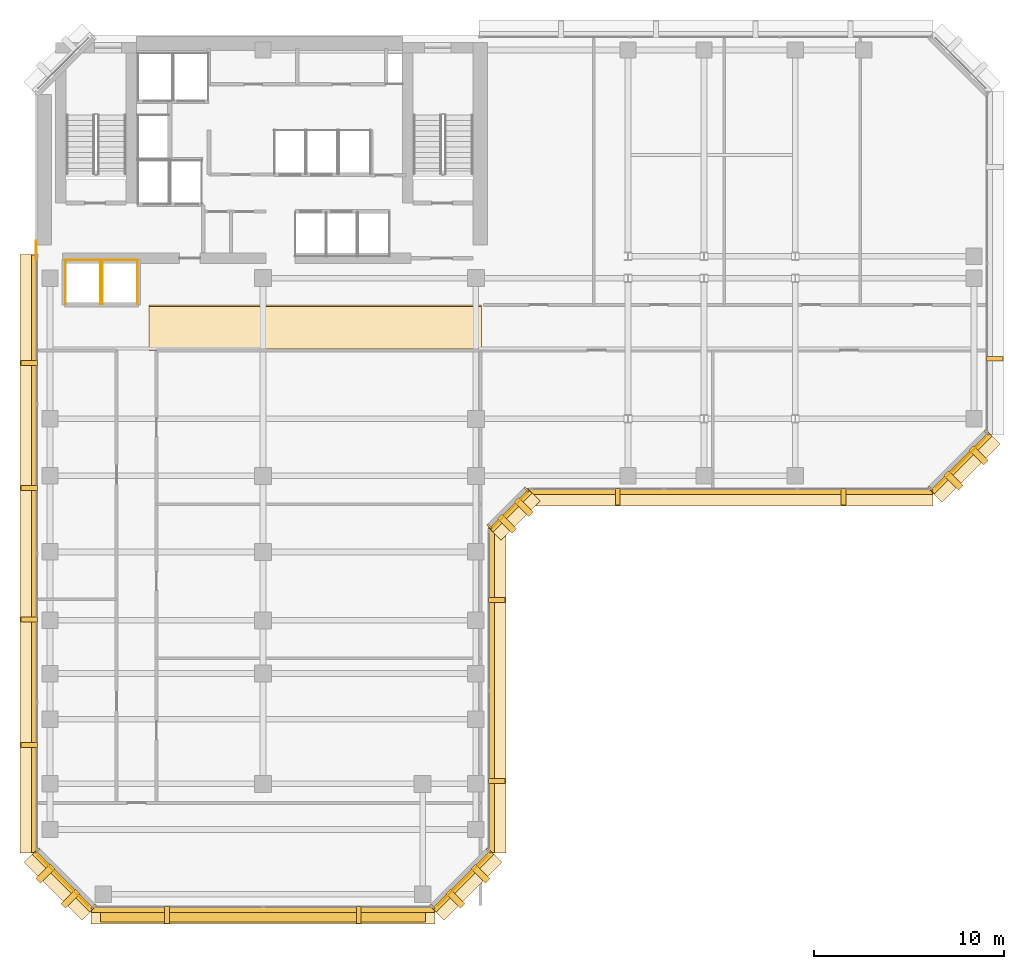
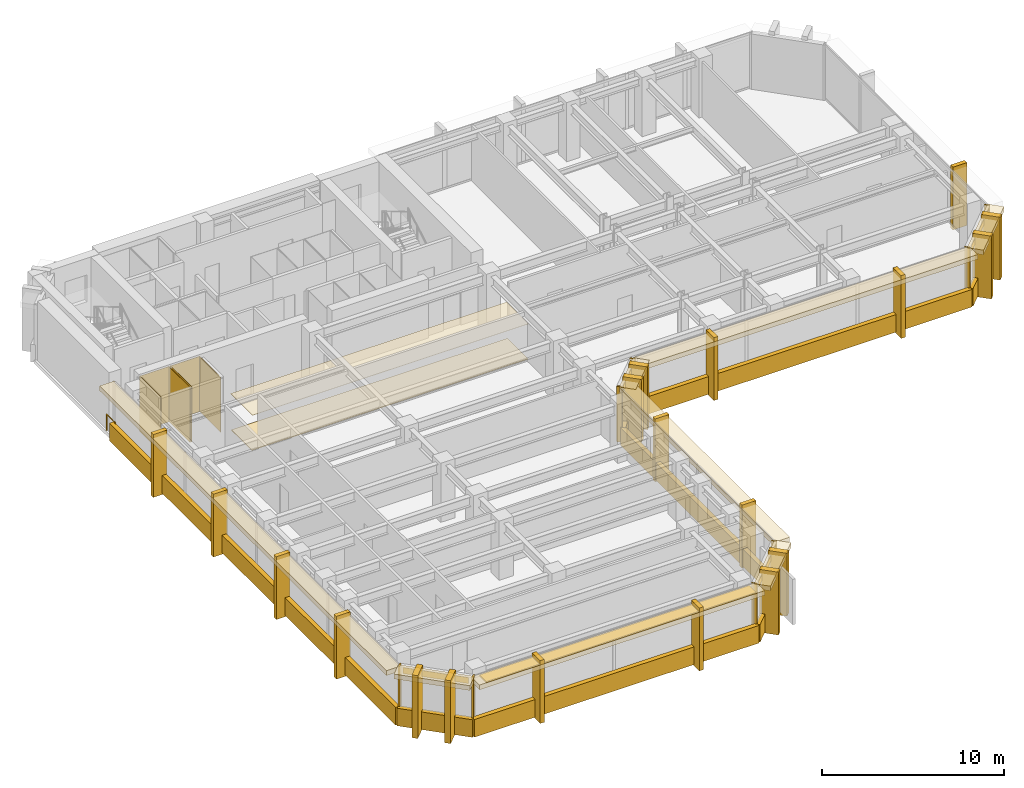
# One storey, part 9 of 11: 55 coverings, 1 railing, 1 shading device.
"""IFC4 building model written with IfcOpenShell, lengths in metres."""

from ifc_helpers import new_model, si_unit, direction, frame, origin, origin_2d, place, context, subcontext, project, spatial, polyline, rectangle, circle, outline, extrude, material, layer, layer_set, type_object, element, save


model = new_model("IFC4")

# Units and contexts
model_context = context("Model", 3, precision=1e-05, world=origin(), true_north=direction((0.0, 1.0)))
body_context = subcontext(model_context, "Body", "Model", "MODEL_VIEW")
ifc_project = project(units=[si_unit("LENGTHUNIT", "METRE"), si_unit("AREAUNIT", "SQUARE_METRE"), si_unit("VOLUMEUNIT", "CUBIC_METRE"), si_unit("PLANEANGLEUNIT", "RADIAN"), si_unit("MASSUNIT", "GRAM", prefix="KILO")], contexts=[model_context])

# Site, building, storey
site_placement = place(None, origin())
site = spatial("IfcSite", under=ifc_project, at=site_placement, CompositionType="ELEMENT")
building_placement = place(site_placement, origin())
building = spatial("IfcBuilding", under=site, at=building_placement, Name="Kefirva Bronze Tower", CompositionType="ELEMENT")
storey_placement = place(building_placement, frame((0.0, 0.0, 138.929931640625)))
storey = spatial("IfcBuildingStorey", under=building, at=storey_placement, Name="L33", CompositionType="ELEMENT", Elevation=138.929931640625)

# Coverings
ifc_material_1 = material(Name="Acoustic mineral tile")
ifc_layer_1 = layer(ifc_material_1, 0.02490234375, Name="Acoustic mineral tile")
ifc_layer_set_1 = layer_set([ifc_layer_1], Name="Acoustic mineral tile")
covering_type_1 = type_object("IfcCoveringType", Name="Acoustic Mineral Suspended Ceiling 25mm", PredefinedType="CEILING", material=ifc_layer_set_1)
covering_1_placement = place(storey_placement, frame((0.0, 0.0, 2.400146484375)))
element("IfcCovering", 1, at=covering_1_placement, inside=storey, type_object=covering_type_1, Name="L33 Corridor Acoustic Ceiling", PredefinedType="CEILING", context=body_context, shape_type="SweptSolid", body=[
    extrude(outline(polyline([(6.0, 29.39990234375), (23.5, 29.39990234375), (23.5, 31.800048828125), (6.0, 31.800048828125), (6.0, 29.39990234375)])), origin(), (0.0, 0.0, 1.0), 0.02490234375),
])
ifc_material_2 = material(Name="Bronze anodised aluminium", Category="aluminium")
ifc_layer_2 = layer(ifc_material_2, 0.02001953125, Name="Bronze anodised aluminium")
ifc_layer_set_2 = layer_set([ifc_layer_2], Name="Bronze anodised aluminium")
covering_type_2 = type_object("IfcCoveringType", Name="Anodised Bronze Spandrel Cladding 20mm", PredefinedType="CLADDING", material=ifc_layer_set_2)
covering_2_placement = place(storey_placement, frame((12.0, -0.0400390625, -0.15966796875), z_axis=(0.0, 0.0, 1.0), x_axis=(1.0, 0.0, 0.0)))
element("IfcCovering", 2, at=covering_2_placement, inside=storey, type_object=covering_type_2, Name="L33 Streamline Horizontal Spandrel Band 0", PredefinedType="CLADDING", context=body_context, shape_type="SweptSolid", body=[
    extrude(rectangle(XDim=18.0400390625, YDim=0.280029296875, at=origin_2d()), origin(), (0.0, 0.0, 1.0), 1.179931640625),
])
covering_3_placement = place(storey_placement, frame((22.507080078125, 1.492919921875, 3.2900390625), z_axis=(0.0, 0.0, 1.0), x_axis=(0.707106781187, 0.707106781187, 0.0)))
element("IfcCovering", 3, at=covering_3_placement, inside=storey, type_object=covering_type_2, Name="L33 Bronze Spandrel Cladding 1", PredefinedType="CLADDING", context=body_context, shape_type="SweptSolid", body=[
    extrude(rectangle(XDim=3.719482421875, YDim=0.02001953125, at=origin_2d()), origin(), (0.0, 0.0, 1.0), 0.39990234375),
])
for number, where, z_axis, x_axis, name in (
    (4, (20.91162109375, 0.137939453125, 0.0), (0.0, 0.0, 1.0), (0.707106781187, 0.707106781187, 0.0), "L33 Facade Joint Closure Panel 1S"),
    (5, (23.862060546875, 3.08837890625, 0.0), (0.0, 0.0, 1.0), (0.707106781187, 0.707106781187, 0.0), "L33 Facade Joint Closure Panel 1E"),
):
    element("IfcCovering", number, at=place(storey_placement, frame(where, z_axis=z_axis, x_axis=x_axis)), inside=storey, type_object=covering_type_2, Name=name, PredefinedType="CLADDING", context=body_context, shape_type="SweptSolid", body=[
        extrude(rectangle(XDim=0.10009765625, YDim=0.320068359375, at=origin_2d()), origin(), (0.0, 0.0, 1.0), 3.7099609375),
    ])
covering_4_placement = place(storey_placement, frame((22.5283203125, 1.4716796875, -0.15966796875), z_axis=(0.0, 0.0, 1.0), x_axis=(0.707106781187, 0.707106781187, 0.0)))
element("IfcCovering", 6, at=covering_4_placement, inside=storey, type_object=covering_type_2, Name="L33 Streamline Horizontal Spandrel Band 1", PredefinedType="CLADDING", context=body_context, shape_type="SweptSolid", body=[
    extrude(rectangle(XDim=4.28271484375, YDim=0.280029296875, at=origin_2d()), origin(), (0.0, 0.0, 1.0), 1.179931640625),
])
covering_5_placement = place(storey_placement, frame((24.0400390625, 11.5, -0.15966796875), z_axis=(0.0, 0.0, 1.0), x_axis=(0.0, 1.0, 0.0)))
element("IfcCovering", 7, at=covering_5_placement, inside=storey, type_object=covering_type_2, Name="L33 Streamline Horizontal Spandrel Band 2", PredefinedType="CLADDING", context=body_context, shape_type="SweptSolid", body=[
    extrude(rectangle(XDim=17.0400390625, YDim=0.280029296875, at=origin_2d()), origin(), (0.0, 0.0, 1.0), 1.179931640625),
])
covering_6_placement = place(storey_placement, frame((25.007080078125, 20.992919921875, 3.2900390625), z_axis=(0.0, 0.0, 1.0), x_axis=(0.707106781187, 0.707106781187, 0.0)))
element("IfcCovering", 8, at=covering_6_placement, inside=storey, type_object=covering_type_2, Name="L33 Bronze Spandrel Cladding 2", PredefinedType="CLADDING", context=body_context, shape_type="SweptSolid", body=[
    extrude(rectangle(XDim=2.446533203125, YDim=0.02001953125, at=origin_2d()), origin(), (0.0, 0.0, 1.0), 0.39990234375),
])
for number, where, z_axis, x_axis, name in (
    (9, (23.91162109375, 20.137939453125, 0.0), (0.0, 0.0, 1.0), (0.707106781187, 0.707106781187, 0.0), "L33 Facade Joint Closure Panel 2S"),
    (10, (25.862060546875, 22.08837890625, 0.0), (0.0, 0.0, 1.0), (0.707106781187, 0.707106781187, 0.0), "L33 Facade Joint Closure Panel 2E"),
):
    element("IfcCovering", number, at=place(storey_placement, frame(where, z_axis=z_axis, x_axis=x_axis)), inside=storey, type_object=covering_type_2, Name=name, PredefinedType="CLADDING", context=body_context, shape_type="SweptSolid", body=[
        extrude(rectangle(XDim=0.10009765625, YDim=0.320068359375, at=origin_2d()), origin(), (0.0, 0.0, 1.0), 3.7099609375),
    ])
covering_7_placement = place(storey_placement, frame((25.0283203125, 20.9716796875, -0.15966796875), z_axis=(0.0, 0.0, 1.0), x_axis=(0.707106781187, 0.707106781187, 0.0)))
element("IfcCovering", 11, at=covering_7_placement, inside=storey, type_object=covering_type_2, Name="L33 Streamline Horizontal Spandrel Band 3", PredefinedType="CLADDING", context=body_context, shape_type="SweptSolid", body=[
    extrude(rectangle(XDim=2.868408203125, YDim=0.280029296875, at=origin_2d()), origin(), (0.0, 0.0, 1.0), 1.179931640625),
])
covering_8_placement = place(storey_placement, frame((36.60009765625, 21.9599609375, -0.15966796875), z_axis=(0.0, 0.0, 1.0), x_axis=(1.0, 0.0, 0.0)))
element("IfcCovering", 12, at=covering_8_placement, inside=storey, type_object=covering_type_2, Name="L33 Streamline Horizontal Spandrel Band 4", PredefinedType="CLADDING", context=body_context, shape_type="SweptSolid", body=[
    extrude(rectangle(XDim=21.239990234375, YDim=0.280029296875, at=origin_2d()), origin(), (0.0, 0.0, 1.0), 1.179931640625),
])
covering_9_placement = place(storey_placement, frame((48.70703125, 23.492919921875, 3.2900390625), z_axis=(0.0, 0.0, 1.0), x_axis=(0.707106781187, 0.707106781187, 0.0)))
element("IfcCovering", 13, at=covering_9_placement, inside=storey, type_object=covering_type_2, Name="L33 Bronze Spandrel Cladding 3", PredefinedType="CLADDING", context=body_context, shape_type="SweptSolid", body=[
    extrude(rectangle(XDim=3.719482421875, YDim=0.02001953125, at=origin_2d()), origin(), (0.0, 0.0, 1.0), 0.39990234375),
])
for number, where, z_axis, x_axis, name in (
    (14, (47.11181640625, 22.137939453125, 0.0), (0.0, 0.0, 1.0), (0.707106781187, 0.707106781187, 0.0), "L33 Facade Joint Closure Panel 3S"),
    (15, (50.06201171875, 25.08837890625, 0.0), (0.0, 0.0, 1.0), (0.707106781187, 0.707106781187, 0.0), "L33 Facade Joint Closure Panel 3E"),
):
    element("IfcCovering", number, at=place(storey_placement, frame(where, z_axis=z_axis, x_axis=x_axis)), inside=storey, type_object=covering_type_2, Name=name, PredefinedType="CLADDING", context=body_context, shape_type="SweptSolid", body=[
        extrude(rectangle(XDim=0.10009765625, YDim=0.320068359375, at=origin_2d()), origin(), (0.0, 0.0, 1.0), 3.7099609375),
    ])
covering_10_placement = place(storey_placement, frame((48.728271484375, 23.4716796875, -0.15966796875), z_axis=(0.0, 0.0, 1.0), x_axis=(0.707106781187, 0.707106781187, 0.0)))
element("IfcCovering", 16, at=covering_10_placement, inside=storey, type_object=covering_type_2, Name="L33 Streamline Horizontal Spandrel Band 5", PredefinedType="CLADDING", context=body_context, shape_type="SweptSolid", body=[
    extrude(rectangle(XDim=4.28271484375, YDim=0.280029296875, at=origin_2d()), origin(), (0.0, 0.0, 1.0), 1.179931640625),
])
covering_11_placement = place(storey_placement, frame((-0.0400390625, 18.697509765625, -0.15966796875), z_axis=(0.0, 0.0, 1.0), x_axis=(0.0, -1.0, 0.0)))
element("IfcCovering", 17, at=covering_11_placement, inside=storey, type_object=covering_type_2, Name="L33 Streamline Horizontal Spandrel Band 10", PredefinedType="CLADDING", context=body_context, shape_type="SweptSolid", body=[
    extrude(rectangle(XDim=31.43505859375, YDim=0.280029296875, at=origin_2d()), origin(), (0.0, 0.0, 1.0), 1.179931640625),
])
covering_12_placement = place(storey_placement, frame((1.492919921875, 1.492919921875, 3.2900390625), z_axis=(0.0, 0.0, 1.0), x_axis=(0.707106781187, -0.707106781187, 0.0)))
element("IfcCovering", 18, at=covering_12_placement, inside=storey, type_object=covering_type_2, Name="L33 Bronze Spandrel Cladding 6", PredefinedType="CLADDING", context=body_context, shape_type="SweptSolid", body=[
    extrude(rectangle(XDim=3.719482421875, YDim=0.02001953125, at=origin_2d()), origin(), (0.0, 0.0, 1.0), 0.39990234375),
])
for number, where, z_axis, x_axis, name in (
    (19, (0.137939453125, 3.08837890625, 0.0), (0.0, 0.0, 1.0), (0.707106781187, -0.707106781187, 0.0), "L33 Facade Joint Closure Panel 6S"),
    (20, (3.08837890625, 0.137939453125, 0.0), (0.0, 0.0, 1.0), (0.707106781187, -0.707106781187, 0.0), "L33 Facade Joint Closure Panel 6E"),
):
    element("IfcCovering", number, at=place(storey_placement, frame(where, z_axis=z_axis, x_axis=x_axis)), inside=storey, type_object=covering_type_2, Name=name, PredefinedType="CLADDING", context=body_context, shape_type="SweptSolid", body=[
        extrude(rectangle(XDim=0.10009765625, YDim=0.320068359375, at=origin_2d()), origin(), (0.0, 0.0, 1.0), 3.7099609375),
    ])
covering_13_placement = place(storey_placement, frame((1.4716796875, 1.4716796875, -0.15966796875), z_axis=(0.0, 0.0, 1.0), x_axis=(0.707106781187, -0.707106781187, 0.0)))
element("IfcCovering", 21, at=covering_13_placement, inside=storey, type_object=covering_type_2, Name="L33 Streamline Horizontal Spandrel Band 11", PredefinedType="CLADDING", context=body_context, shape_type="SweptSolid", body=[
    extrude(rectangle(XDim=4.28271484375, YDim=0.280029296875, at=origin_2d()), origin(), (0.0, 0.0, 1.0), 1.179931640625),
])
covering_14_placement = place(storey_placement, origin())
element("IfcCovering", 22, at=covering_14_placement, inside=storey, type_object=covering_type_2, Name="L33 Lift OB1 Hoistway Liner N", PredefinedType="CLADDING", context=body_context, shape_type="SweptSolid", body=[
    extrude(outline(polyline([(1.580078125, 34.139892578125), (3.469970703125, 34.139892578125), (3.469970703125, 34.159912109375), (1.580078125, 34.159912109375), (1.580078125, 34.139892578125)])), origin(), (0.0, 0.0, 1.0), 3.7099609375),
])
covering_15_placement = place(storey_placement, origin())
element("IfcCovering", 23, at=covering_15_placement, inside=storey, type_object=covering_type_2, Name="L33 Lift OB1 Hoistway Liner W", PredefinedType="CLADDING", context=body_context, shape_type="SweptSolid", body=[
    extrude(outline(polyline([(1.590087890625, 31.830078125), (1.610107421875, 31.830078125), (1.610107421875, 34.169921875), (1.590087890625, 34.169921875), (1.590087890625, 31.830078125)])), origin(), (0.0, 0.0, 1.0), 3.7099609375),
])
covering_16_placement = place(storey_placement, origin())
element("IfcCovering", 24, at=covering_16_placement, inside=storey, type_object=covering_type_2, Name="L33 Lift OB1 Hoistway Liner E", PredefinedType="CLADDING", context=body_context, shape_type="SweptSolid", body=[
    extrude(outline(polyline([(3.43994140625, 31.830078125), (3.4599609375, 31.830078125), (3.4599609375, 34.169921875), (3.43994140625, 34.169921875), (3.43994140625, 31.830078125)])), origin(), (0.0, 0.0, 1.0), 3.7099609375),
])
covering_17_placement = place(storey_placement, origin())
element("IfcCovering", 25, at=covering_17_placement, inside=storey, type_object=covering_type_2, Name="L33 Lift OB2 Hoistway Liner N", PredefinedType="CLADDING", context=body_context, shape_type="SweptSolid", body=[
    extrude(outline(polyline([(3.530029296875, 34.139892578125), (5.419921875, 34.139892578125), (5.419921875, 34.159912109375), (3.530029296875, 34.159912109375), (3.530029296875, 34.139892578125)])), origin(), (0.0, 0.0, 1.0), 3.7099609375),
])
covering_18_placement = place(storey_placement, origin())
element("IfcCovering", 26, at=covering_18_placement, inside=storey, type_object=covering_type_2, Name="L33 Lift OB2 Hoistway Liner W", PredefinedType="CLADDING", context=body_context, shape_type="SweptSolid", body=[
    extrude(outline(polyline([(3.5400390625, 31.830078125), (3.56005859375, 31.830078125), (3.56005859375, 34.169921875), (3.5400390625, 34.169921875), (3.5400390625, 31.830078125)])), origin(), (0.0, 0.0, 1.0), 3.7099609375),
])
covering_19_placement = place(storey_placement, origin())
element("IfcCovering", 27, at=covering_19_placement, inside=storey, type_object=covering_type_2, Name="L33 Lift OB2 Hoistway Liner E", PredefinedType="CLADDING", context=body_context, shape_type="SweptSolid", body=[
    extrude(outline(polyline([(5.389892578125, 31.830078125), (5.409912109375, 31.830078125), (5.409912109375, 34.169921875), (5.389892578125, 34.169921875), (5.389892578125, 31.830078125)])), origin(), (0.0, 0.0, 1.0), 3.7099609375),
])

# Shading device
ifc_layer_3 = layer(ifc_material_2, 0.090087890625, Name="Bronze anodised aluminium")
ifc_layer_set_3 = layer_set([ifc_layer_3], Name="Bronze anodised aluminium")
shading_device_type = type_object("IfcShadingDeviceType", Name="Horizontal Bronze Sunshade Band 750mm", PredefinedType="JALOUSIE", material=ifc_layer_set_3)
shading_device_placement = place(storey_placement, frame((12.0, -0.294921875, 3.60498046875), z_axis=(0.0, 0.0, 1.0), x_axis=(1.0, 0.0, 0.0)))
element("IfcShadingDevice", 28, at=shading_device_placement, inside=storey, type_object=shading_device_type, Name="L33 Horizontal Bronze Sunshade Band 0", PredefinedType="JALOUSIE", context=body_context, shape_type="SweptSolid", body=[
    extrude(rectangle(XDim=17.090087890625, YDim=0.75, at=origin_2d()), origin(), (0.0, 0.0, 1.0), 0.090087890625),
])

# Railing
ifc_material_3 = material(Name="Stainless steel 316", Category="steel")
railing_type = type_object("IfcRailingType", Name="Interior Stair Guardrail 1100mm", PredefinedType="GUARDRAIL", material=ifc_material_3)
railing_placement = place(storey_placement, frame((0.080078125, 34.199951171875, 0.0)))
element("IfcRailing", 29, at=railing_placement, inside=storey, type_object=railing_type, Name="L33 West Core Junction Guardrail", PredefinedType="GUARDRAIL", context=body_context, shape_type="SweptSolid", body=[
    extrude(circle(Radius=0.02392578125, at=origin_2d()), frame((0.0, 0.0, 1.076171875), z_axis=(0.0, 1.0, 0.0), x_axis=(-1.0, 0.0, 0.0)), (0.0, 0.0, 1.0), 0.949951171875),
    extrude(circle(Radius=0.02099609375, at=origin_2d()), origin(), (0.0, 0.0, 1.0), 1.052001953125),
    extrude(circle(Radius=0.02099609375, at=origin_2d()), frame((0.0, 0.949951171875, 0.0)), (0.0, 0.0, 1.0), 1.052001953125),
])

# Coverings
ifc_material_4 = material(Name="Calcium sulphate access tile")
ifc_layer_4 = layer(ifc_material_4, 0.044921875, Name="Calcium sulphate access tile")
ifc_layer_set_4 = layer_set([ifc_layer_4], Name="Calcium sulphate access tile")
covering_type_3 = type_object("IfcCoveringType", Name="Raised Access Office Flooring 45mm", PredefinedType="FLOORING", material=ifc_layer_set_4)
covering_20_placement = place(storey_placement, origin())
element("IfcCovering", 30, at=covering_20_placement, inside=storey, type_object=covering_type_3, Name="L33 Architectural Finish Flooring", PredefinedType="FLOORING", context=body_context, shape_type="SweptSolid", body=[
    extrude(outline(polyline([(6.0, 29.47998046875), (23.5, 29.47998046875), (23.5, 31.719970703125), (6.0, 31.719970703125), (6.0, 29.47998046875)])), origin(), (0.0, 0.0, 1.0), 0.045166015625),
])
ifc_layer_5 = layer(ifc_material_2, 0.179931640625, Name="Bronze anodised aluminium")
ifc_layer_set_5 = layer_set([ifc_layer_5], Name="Bronze anodised aluminium")
covering_type_4 = type_object("IfcCoveringType", Name="Streamline Bronze Sunshade Eyebrow Cladding 180mm", PredefinedType="CLADDING", material=ifc_layer_set_5)
covering_21_placement = place(storey_placement, frame((12.0, -0.31005859375, 3.39013671875), z_axis=(0.0, 0.0, 1.0), x_axis=(1.0, 0.0, 0.0)))
element("IfcCovering", 31, at=covering_21_placement, inside=storey, type_object=covering_type_4, Name="L33 Streamline Bronze Sunshade Eyebrow 0", PredefinedType="CLADDING", context=body_context, shape_type="SweptSolid", body=[
    extrude(rectangle(XDim=18.080078125, YDim=0.93994140625, at=origin_2d()), origin(), (0.0, 0.0, 1.0), 0.320068359375),
])
covering_22_placement = place(storey_placement, frame((22.71923828125, 1.28076171875, 3.39013671875), z_axis=(0.0, 0.0, 1.0), x_axis=(0.707106781187, 0.707106781187, 0.0)))
element("IfcCovering", 32, at=covering_22_placement, inside=storey, type_object=covering_type_4, Name="L33 Streamline Bronze Sunshade Eyebrow 1", PredefinedType="CLADDING", context=body_context, shape_type="SweptSolid", body=[
    extrude(rectangle(XDim=4.322509765625, YDim=0.93994140625, at=origin_2d()), origin(), (0.0, 0.0, 1.0), 0.320068359375),
])
covering_23_placement = place(storey_placement, frame((24.31005859375, 11.5, 3.39013671875), z_axis=(0.0, 0.0, 1.0), x_axis=(0.0, 1.0, 0.0)))
element("IfcCovering", 33, at=covering_23_placement, inside=storey, type_object=covering_type_4, Name="L33 Streamline Bronze Sunshade Eyebrow 2", PredefinedType="CLADDING", context=body_context, shape_type="SweptSolid", body=[
    extrude(rectangle(XDim=17.080078125, YDim=0.93994140625, at=origin_2d()), origin(), (0.0, 0.0, 1.0), 0.320068359375),
])
covering_24_placement = place(storey_placement, frame((25.21923828125, 20.78076171875, 3.39013671875), z_axis=(0.0, 0.0, 1.0), x_axis=(0.707106781187, 0.707106781187, 0.0)))
element("IfcCovering", 34, at=covering_24_placement, inside=storey, type_object=covering_type_4, Name="L33 Streamline Bronze Sunshade Eyebrow 3", PredefinedType="CLADDING", context=body_context, shape_type="SweptSolid", body=[
    extrude(rectangle(XDim=2.908447265625, YDim=0.93994140625, at=origin_2d()), origin(), (0.0, 0.0, 1.0), 0.320068359375),
])
covering_25_placement = place(storey_placement, frame((36.60009765625, 21.68994140625, 3.39013671875), z_axis=(0.0, 0.0, 1.0), x_axis=(1.0, 0.0, 0.0)))
element("IfcCovering", 35, at=covering_25_placement, inside=storey, type_object=covering_type_4, Name="L33 Streamline Bronze Sunshade Eyebrow 4", PredefinedType="CLADDING", context=body_context, shape_type="SweptSolid", body=[
    extrude(rectangle(XDim=21.280029296875, YDim=0.93994140625, at=origin_2d()), origin(), (0.0, 0.0, 1.0), 0.320068359375),
])
covering_26_placement = place(storey_placement, frame((48.919189453125, 23.28076171875, 3.39013671875), z_axis=(0.0, 0.0, 1.0), x_axis=(0.707106781187, 0.707106781187, 0.0)))
element("IfcCovering", 36, at=covering_26_placement, inside=storey, type_object=covering_type_4, Name="L33 Streamline Bronze Sunshade Eyebrow 5", PredefinedType="CLADDING", context=body_context, shape_type="SweptSolid", body=[
    extrude(rectangle(XDim=4.322509765625, YDim=0.93994140625, at=origin_2d()), origin(), (0.0, 0.0, 1.0), 0.320068359375),
])
covering_27_placement = place(storey_placement, frame((-0.31005859375, 18.697509765625, 3.39013671875), z_axis=(0.0, 0.0, 1.0), x_axis=(0.0, -1.0, 0.0)))
element("IfcCovering", 37, at=covering_27_placement, inside=storey, type_object=covering_type_4, Name="L33 Streamline Bronze Sunshade Eyebrow 10", PredefinedType="CLADDING", context=body_context, shape_type="SweptSolid", body=[
    extrude(rectangle(XDim=31.47509765625, YDim=0.93994140625, at=origin_2d()), origin(), (0.0, 0.0, 1.0), 0.320068359375),
])
covering_28_placement = place(storey_placement, frame((1.28076171875, 1.28076171875, 3.39013671875), z_axis=(0.0, 0.0, 1.0), x_axis=(0.707106781187, -0.707106781187, 0.0)))
element("IfcCovering", 38, at=covering_28_placement, inside=storey, type_object=covering_type_4, Name="L33 Streamline Bronze Sunshade Eyebrow 11", PredefinedType="CLADDING", context=body_context, shape_type="SweptSolid", body=[
    extrude(rectangle(XDim=4.322509765625, YDim=0.93994140625, at=origin_2d()), origin(), (0.0, 0.0, 1.0), 0.320068359375),
])
ifc_layer_6 = layer(ifc_material_2, 0.260009765625, Name="Bronze anodised aluminium")
ifc_layer_set_6 = layer_set([ifc_layer_6], Name="Bronze anodised aluminium")
covering_type_5 = type_object("IfcCoveringType", Name="Unbroken Bronze Buttress Fin Cladding 260mm", PredefinedType="CLADDING", material=ifc_layer_set_6)
for number, where, z_axis, x_axis, name in (
    (39, (6.9599609375, -0.300048828125, -0.25), (0.0, 0.0, 1.0), (1.0, 0.0, 0.0), "L33 Unbroken Vertical Bronze Rib Fin 1"),
    (40, (17.0400390625, -0.300048828125, -0.25), (0.0, 0.0, 1.0), (1.0, 0.0, 0.0), "L33 Unbroken Vertical Bronze Rib Fin 2"),
):
    element("IfcCovering", number, at=place(storey_placement, frame(where, z_axis=z_axis, x_axis=x_axis)), inside=storey, type_object=covering_type_5, Name=name, PredefinedType="CLADDING", context=body_context, shape_type="SweptSolid", body=[
        extrude(rectangle(XDim=0.260009765625, YDim=0.8798828125, at=origin_2d()), origin(), (0.0, 0.0, 1.0), 4.2099609375),
    ])
for number, where, z_axis, x_axis, name in (
    (41, (22.122802734375, 0.55712890625, -0.25), (0.0, 0.0, 1.0), (0.707106781187, 0.707106781187, 0.0), "L33 Chamfered Corner Buttress Fin Cladding 3"),
    (42, (23.44287109375, 1.877197265625, -0.25), (0.0, 0.0, 1.0), (0.707106781187, 0.707106781187, 0.0), "L33 Chamfered Corner Buttress Fin Cladding 4"),
):
    element("IfcCovering", number, at=place(storey_placement, frame(where, z_axis=z_axis, x_axis=x_axis)), inside=storey, type_object=covering_type_5, Name=name, PredefinedType="CLADDING", context=body_context, shape_type="SweptSolid", body=[
        extrude(rectangle(XDim=0.340087890625, YDim=1.080078125, at=origin_2d()), origin(), (0.0, 0.0, 1.0), 4.2099609375),
    ])
for number, where, z_axis, x_axis, name in (
    (43, (24.300048828125, 6.739990234375, -0.25), (0.0, 0.0, 1.0), (0.0, 1.0, 0.0), "L33 Unbroken Vertical Bronze Rib Fin 5"),
    (44, (24.300048828125, 16.260009765625, -0.25), (0.0, 0.0, 1.0), (0.0, 1.0, 0.0), "L33 Unbroken Vertical Bronze Rib Fin 6"),
):
    element("IfcCovering", number, at=place(storey_placement, frame(where, z_axis=z_axis, x_axis=x_axis)), inside=storey, type_object=covering_type_5, Name=name, PredefinedType="CLADDING", context=body_context, shape_type="SweptSolid", body=[
        extrude(rectangle(XDim=0.260009765625, YDim=0.8798828125, at=origin_2d()), origin(), (0.0, 0.0, 1.0), 4.2099609375),
    ])
for number, where, z_axis, x_axis, name in (
    (45, (24.8427734375, 20.277099609375, -0.25), (0.0, 0.0, 1.0), (0.707106781187, 0.707106781187, 0.0), "L33 Chamfered Corner Buttress Fin Cladding 7"),
    (46, (25.722900390625, 21.1572265625, -0.25), (0.0, 0.0, 1.0), (0.707106781187, 0.707106781187, 0.0), "L33 Chamfered Corner Buttress Fin Cladding 8"),
):
    element("IfcCovering", number, at=place(storey_placement, frame(where, z_axis=z_axis, x_axis=x_axis)), inside=storey, type_object=covering_type_5, Name=name, PredefinedType="CLADDING", context=body_context, shape_type="SweptSolid", body=[
        extrude(rectangle(XDim=0.340087890625, YDim=1.080078125, at=origin_2d()), origin(), (0.0, 0.0, 1.0), 4.2099609375),
    ])
for number, where, z_axis, x_axis, name in (
    (47, (30.6640625, 21.699951171875, -0.25), (0.0, 0.0, 1.0), (1.0, 0.0, 0.0), "L33 Unbroken Vertical Bronze Rib Fin 9"),
    (48, (42.535888671875, 21.699951171875, -0.25), (0.0, 0.0, 1.0), (1.0, 0.0, 0.0), "L33 Unbroken Vertical Bronze Rib Fin 10"),
):
    element("IfcCovering", number, at=place(storey_placement, frame(where, z_axis=z_axis, x_axis=x_axis)), inside=storey, type_object=covering_type_5, Name=name, PredefinedType="CLADDING", context=body_context, shape_type="SweptSolid", body=[
        extrude(rectangle(XDim=0.260009765625, YDim=0.8798828125, at=origin_2d()), origin(), (0.0, 0.0, 1.0), 4.2099609375),
    ])
for number, where, z_axis, x_axis, name in (
    (49, (48.32275390625, 22.55712890625, -0.25), (0.0, 0.0, 1.0), (0.707106781187, 0.707106781187, 0.0), "L33 Chamfered Corner Buttress Fin Cladding 11"),
    (50, (49.642822265625, 23.877197265625, -0.25), (0.0, 0.0, 1.0), (0.707106781187, 0.707106781187, 0.0), "L33 Chamfered Corner Buttress Fin Cladding 12"),
):
    element("IfcCovering", number, at=place(storey_placement, frame(where, z_axis=z_axis, x_axis=x_axis)), inside=storey, type_object=covering_type_5, Name=name, PredefinedType="CLADDING", context=body_context, shape_type="SweptSolid", body=[
        extrude(rectangle(XDim=0.340087890625, YDim=1.080078125, at=origin_2d()), origin(), (0.0, 0.0, 1.0), 4.2099609375),
    ])
for number, where, z_axis, x_axis, name in (
    (51, (50.5, 28.9599609375, -0.25), (0.0, 0.0, 1.0), (0.0, 1.0, 0.0), "L33 Unbroken Vertical Bronze Rib Fin 13"),
    (52, (-0.300048828125, 28.743896484375, -0.25), (0.0, 0.0, 1.0), (0.0, -1.0, 0.0), "L33 Unbroken Vertical Bronze Rib Fin 23"),
    (53, (-0.300048828125, 22.15087890625, -0.25), (0.0, 0.0, 1.0), (0.0, -1.0, 0.0), "L33 Unbroken Vertical Bronze Rib Fin 24"),
    (54, (-0.300048828125, 15.244140625, -0.25), (0.0, 0.0, 1.0), (0.0, -1.0, 0.0), "L33 Unbroken Vertical Bronze Rib Fin 25"),
    (55, (-0.300048828125, 8.651123046875, -0.25), (0.0, 0.0, 1.0), (0.0, -1.0, 0.0), "L33 Unbroken Vertical Bronze Rib Fin 26"),
):
    element("IfcCovering", number, at=place(storey_placement, frame(where, z_axis=z_axis, x_axis=x_axis)), inside=storey, type_object=covering_type_5, Name=name, PredefinedType="CLADDING", context=body_context, shape_type="SweptSolid", body=[
        extrude(rectangle(XDim=0.260009765625, YDim=0.8798828125, at=origin_2d()), origin(), (0.0, 0.0, 1.0), 4.2099609375),
    ])
for number, where, z_axis, x_axis, name in (
    (56, (0.55712890625, 1.877197265625, -0.25), (0.0, 0.0, 1.0), (0.707106781187, -0.707106781187, 0.0), "L33 Chamfered Corner Buttress Fin Cladding 27"),
    (57, (1.877197265625, 0.55712890625, -0.25), (0.0, 0.0, 1.0), (0.707106781187, -0.707106781187, 0.0), "L33 Chamfered Corner Buttress Fin Cladding 28"),
):
    element("IfcCovering", number, at=place(storey_placement, frame(where, z_axis=z_axis, x_axis=x_axis)), inside=storey, type_object=covering_type_5, Name=name, PredefinedType="CLADDING", context=body_context, shape_type="SweptSolid", body=[
        extrude(rectangle(XDim=0.340087890625, YDim=1.080078125, at=origin_2d()), origin(), (0.0, 0.0, 1.0), 4.2099609375),
    ])

save(model, "model.ifc")
